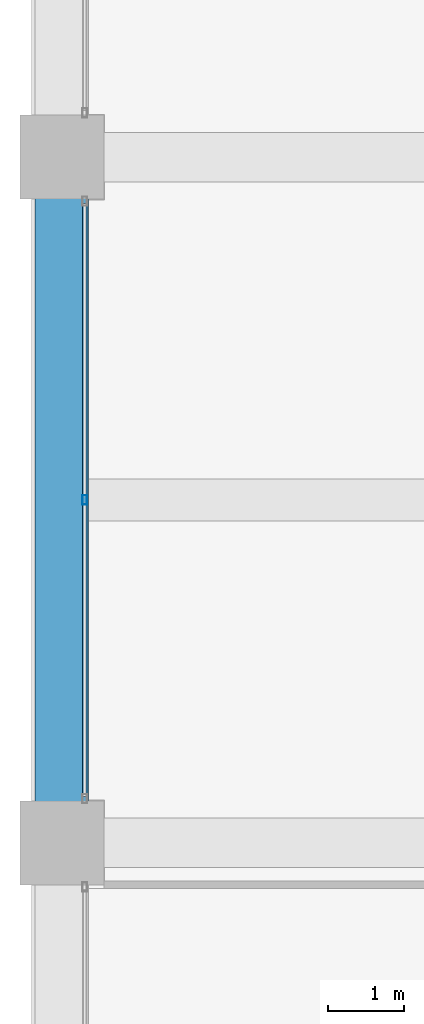
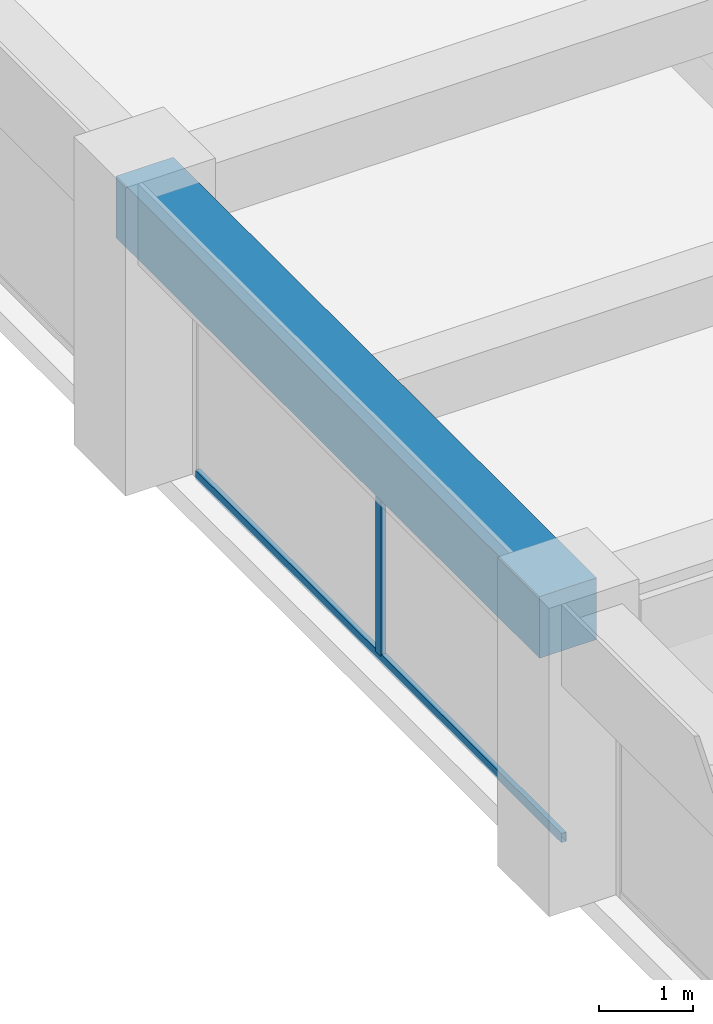
# One storey, part 14 of 45: 2 members, 1 beam, 1 element without a shape of its own.
"""IFC4 building model written with IfcOpenShell, lengths in metres."""

from ifc_helpers import new_model, si_unit, direction, frame, origin, origin_2d, place, context, subcontext, project, spatial, rectangle, hollow_rectangle, extrude, material, material_profile, profile_set, type_object, element, aggregate, save


model = new_model("IFC4")

# Units and contexts
model_context = context("Model", 3, precision=1e-05, world=origin(), true_north=direction((0.0, 1.0)))
body_context = subcontext(model_context, "Body", "Model", "MODEL_VIEW")
ifc_project = project(units=[si_unit("LENGTHUNIT", "METRE"), si_unit("AREAUNIT", "SQUARE_METRE"), si_unit("VOLUMEUNIT", "CUBIC_METRE"), si_unit("PLANEANGLEUNIT", "RADIAN"), si_unit("MASSUNIT", "GRAM", prefix="KILO")], contexts=[model_context])

# Site, building, storey
site_placement = place(None, origin())
site = spatial("IfcSite", under=ifc_project, at=site_placement, CompositionType="ELEMENT")
building_placement = place(site_placement, origin())
building = spatial("IfcBuilding", under=site, at=building_placement, Name="Zorevar Civic Tower", CompositionType="ELEMENT")
storey_placement = place(building_placement, frame((0.0, 0.0, 279.39990234375)))
storey = spatial("IfcBuildingStorey", under=building, at=storey_placement, Name="L68", CompositionType="ELEMENT", Elevation=279.39990234375)

# Curtain wall, members
ifc_material_1 = material(Name="Dark grey solar-control glass in black aluminium frame", Category="aluminium")
curtain_wall_type = type_object("IfcCurtainWallType", Name="Curtain wall CW5 top zone", PredefinedType="NOTDEFINED", material=ifc_material_1)
curtain_wall_placement = place(storey_placement, origin())
curtain_wall = element("IfcCurtainWall", 1, at=curtain_wall_placement, inside=storey, type_object=curtain_wall_type, Name="CW5 L68", PredefinedType="NOTDEFINED")
ifc_material_2 = material(Name="Aluminium, black anodised", Category="aluminium")
ifc_material_profile_1 = material_profile(ifc_material_2, hollow_rectangle(XDim=0.06005859375, YDim=0.1201171875, WallThickness=0.0029296875, at=origin_2d()), Name="AL 120x60x3")
ifc_profile_set_1 = profile_set([ifc_material_profile_1], Name="Aluminium, black anodised")
member_type_1 = type_object("IfcMemberType", Name="CW5 mullion AL 120x60x3", PredefinedType="MULLION", material=ifc_profile_set_1)
member_1_placement = place(storey_placement, frame((9.300048828125, 22.5, 0.06005859375), z_axis=(0.0, 0.0, 1.0), x_axis=(-1.0, 0.0, 0.0)))
member_1 = element("IfcMember", 2, at=member_1_placement, type_object=member_type_1, Name="CW5 mullion 2", PredefinedType="MULLION", context=body_context, shape_type="SweptSolid", body=[
    extrude(hollow_rectangle(XDim=0.06005859375, YDim=0.1201171875, WallThickness=0.0029296875, at=origin_2d()), origin(), (0.0, 0.0, 1.0), 2.89013671875),
])
ifc_material_3 = material(Name="Aluminium, black anodised", Category="aluminium")
ifc_material_profile_2 = material_profile(ifc_material_3, hollow_rectangle(XDim=0.06005859375, YDim=0.1201171875, WallThickness=0.0029296875, at=origin_2d()), Name="AL 120x60x3")
ifc_profile_set_2 = profile_set([ifc_material_profile_2], Name="Aluminium, black anodised")
member_type_2 = type_object("IfcMemberType", Name="CW5 transom AL 120x60x3", PredefinedType="USERDEFINED", material=ifc_profile_set_2)
member_2_placement = place(storey_placement, frame((9.300048828125, 18.610107421875, 0.030029296875), z_axis=(0.0, 1.0, 0.0), x_axis=(-1.0, 0.0, 0.0)))
member_2 = element("IfcMember", 3, at=member_2_placement, type_object=member_type_2, Name="CW5 sill transom", ObjectType="TRANSOM", PredefinedType="USERDEFINED", context=body_context, shape_type="SweptSolid", body=[
    extrude(hollow_rectangle(XDim=0.06005859375, YDim=0.1201171875, WallThickness=0.0029296875, at=origin_2d()), origin(), (0.0, 0.0, 1.0), 7.77978515625),
])
aggregate(curtain_wall, [member_1, member_2])

# Beam
ifc_material_4 = material(Name="Concrete C50/60", Category="concrete")
ifc_material_profile_3 = material_profile(ifc_material_4, rectangle(XDim=0.699951171875, YDim=0.800048828125, at=origin_2d()), Name="RC 700x800")
ifc_profile_set_3 = profile_set([ifc_material_profile_3], Name="Concrete C50/60")
beam_type = type_object("IfcBeamType", Name="Edge beam RC 700x800", PredefinedType="SPANDREL", material=ifc_profile_set_3)
beam_placement = place(storey_placement, frame((9.0, 18.0, 3.35009765625), z_axis=(0.0, 1.0, 0.0), x_axis=(-1.0, 0.0, 0.0)))
element("IfcBeam", 4, at=beam_placement, inside=storey, type_object=beam_type, Name="Edge beam L69", PredefinedType="SPANDREL", context=body_context, shape_type="SweptSolid", body=[
    extrude(rectangle(XDim=0.699951171875, YDim=0.800048828125, at=origin_2d()), origin(), (0.0, 0.0, 1.0), 9.0),
])

save(model, "model.ifc")
